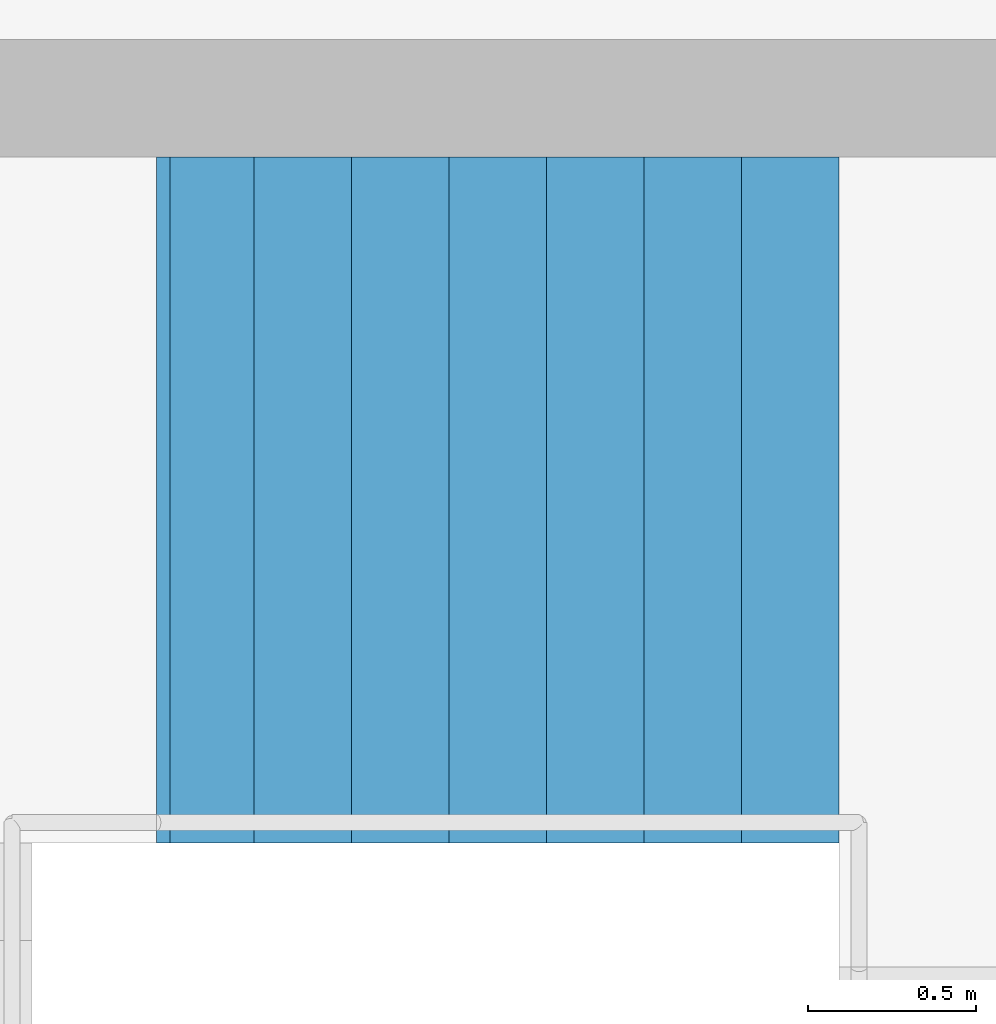
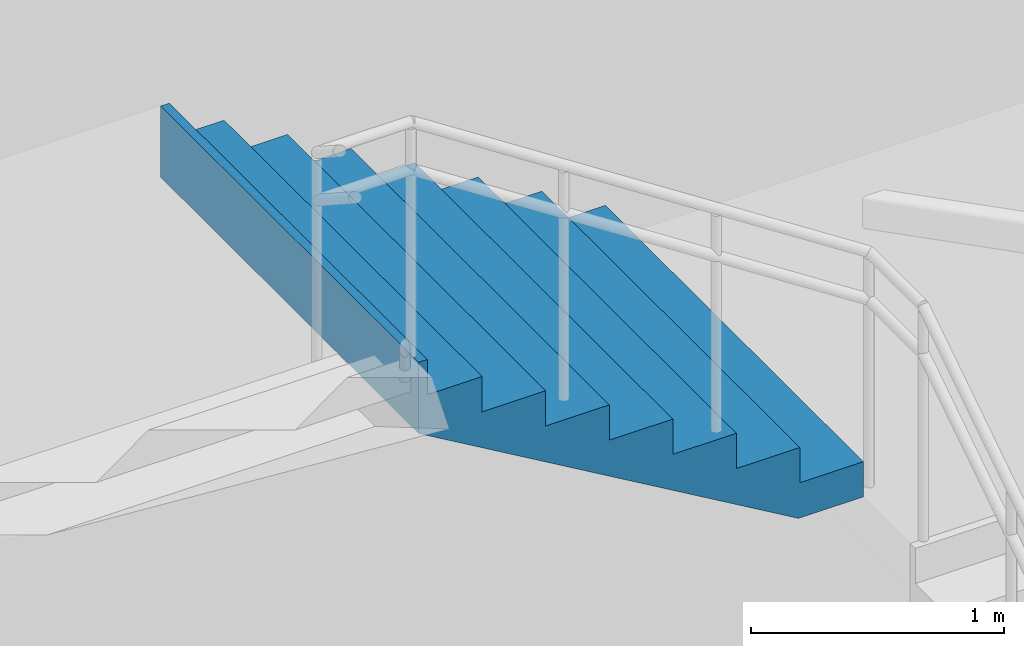
# One storey, part 33 of 50: 1 stair flight, 1 element without a shape of its own.
"""IFC4 building model written with IfcOpenShell, lengths in metres."""

from ifc_helpers import new_model, si_unit, direction, frame, origin, place, context, subcontext, project, spatial, triangles, material, type_object, element, aggregate, save


model = new_model("IFC4")

# Units and contexts
model_context = context("Model", 3, precision=1e-05, world=origin(), true_north=direction((0.0, 1.0)))
body_context = subcontext(model_context, "Body", "Model", "MODEL_VIEW")
ifc_project = project(units=[si_unit("LENGTHUNIT", "METRE"), si_unit("AREAUNIT", "SQUARE_METRE"), si_unit("VOLUMEUNIT", "CUBIC_METRE"), si_unit("PLANEANGLEUNIT", "RADIAN"), si_unit("MASSUNIT", "GRAM", prefix="KILO")], contexts=[model_context])

# Site, building, storey
site_placement = place(None, origin())
site = spatial("IfcSite", under=ifc_project, at=site_placement, CompositionType="ELEMENT")
building_placement = place(site_placement, origin())
building = spatial("IfcBuilding", under=site, at=building_placement, Name="Sillaruma Civic Art Gallery", CompositionType="ELEMENT")
storey_placement = place(building_placement, origin())
storey = spatial("IfcBuildingStorey", under=building, at=storey_placement, Name="L00", CompositionType="ELEMENT", Elevation=0.0)

# Stair, stair flight
ifc_material = material(Name="Concrete H35 (35 MPa)", Category="concrete")
stair_type = type_object("IfcStairType", Name="STR-4F-32", PredefinedType="USERDEFINED", material=ifc_material)
stair_placement = place(storey_placement, origin())
stair = element("IfcStair", 1, at=stair_placement, inside=storey, type_object=stair_type, Name="Protected Exit Stair ST-04 (East Bar) (L00)", ObjectType="THREE_RETURN_STAIR", PredefinedType="USERDEFINED")
stair_flight_type = type_object("IfcStairFlightType", Name="SFL-STR-8", PredefinedType="STRAIGHT", material=ifc_material)
stair_flight_placement = place(storey_placement, frame((103.300048828125, 56.669921875, 2.719970703125), z_axis=(0.0, 0.0, 1.0), x_axis=(-1.0, 0.0, 0.0)))
stair_flight = element("IfcStairFlight", 2, at=stair_flight_placement, type_object=stair_flight_type, Name="ST-04 flight 3", NumberOfRisers=8, NumberOfTreads=7, PredefinedType="STRAIGHT", RiserHeight=0.17, TreadLength=0.29, context=body_context, shape_type="Tessellation", body=[
    triangles([(0.0, -1.02001953125, 0.0), (0.29, -1.02001953125, 0.0), (0.296443, -1.02001953125, 0.0), (0.58, -1.02001953125, 0.166223), (0.87, -1.02001953125, 0.336223), (1.16, -1.02001953125, 0.506223), (1.45, -1.02001953125, 0.676223), (1.74, -1.02001953125, 0.846223), (1.990029, -1.02001953125, 0.992792), (2.030029, -1.02001953125, 1.01624), (2.030029, -1.02001953125, 1.36), (1.990029, -1.02001953125, 1.36), (1.990029, -1.02001953125, 1.19), (1.74, -1.02001953125, 1.19), (1.74, -1.02001953125, 1.02), (1.45, -1.02001953125, 1.02), (1.45, -1.02001953125, 0.85), (1.16, -1.02001953125, 0.85), (1.16, -1.02001953125, 0.68), (0.87, -1.02001953125, 0.68), (0.87, -1.02001953125, 0.51), (0.58, -1.02001953125, 0.51), (0.58, -1.02001953125, 0.34), (0.296443, -1.02001953125, 0.34), (0.29, -1.02001953125, 0.34), (0.29, -1.02001953125, 0.17), (0.0, -1.02001953125, 0.17), (0.0, -0.05, 0.0), (0.29, -0.05, 0.0), (0.296443, -0.05, 0.0), (0.58, -0.05, 0.166223), (0.87, -0.05, 0.336223), (1.16, -0.05, 0.506223), (1.45, -0.05, 0.676223), (1.74, -0.05, 0.846223), (1.990029, -0.05, 0.992792), (2.030029, -0.05, 1.01624), (2.030029, -0.05, 1.36), (1.990029, -0.05, 1.36), (1.990029, -0.05, 1.19), (1.74, -0.05, 1.19), (1.74, -0.05, 1.02), (1.45, -0.05, 1.02), (1.45, -0.05, 0.85), (1.16, -0.05, 0.85), (1.16, -0.05, 0.68), (0.87, -0.05, 0.68), (0.87, -0.05, 0.51), (0.58, -0.05, 0.51), (0.58, -0.05, 0.34), (0.296443, -0.05, 0.34), (0.29, -0.05, 0.34), (0.29, -0.05, 0.17), (0.0, -0.05, 0.17), (0.0, -0.0375, 0.0), (0.29, -0.0375, 0.0), (0.296443, -0.0375, 0.0), (0.58, -0.0375, 0.166223), (0.87, -0.0375, 0.336223), (1.16, -0.0375, 0.506223), (1.45, -0.0375, 0.676223), (1.74, -0.0375, 0.846223), (1.990029, -0.0375, 0.992792), (2.030029, -0.0375, 1.01624), (2.030029, -0.0375, 1.36), (1.990029, -0.0375, 1.36), (1.990029, -0.0375, 1.19), (1.74, -0.0375, 1.19), (1.74, -0.0375, 1.02), (1.45, -0.0375, 1.02), (1.45, -0.0375, 0.85), (1.16, -0.0375, 0.85), (1.16, -0.0375, 0.68), (0.87, -0.0375, 0.68), (0.87, -0.0375, 0.51), (0.58, -0.0375, 0.51), (0.58, -0.0375, 0.34), (0.296443, -0.0375, 0.34), (0.29, -0.0375, 0.34), (0.29, -0.0375, 0.17), (0.0, -0.0375, 0.17), (0.0, -0.025, 0.0), (0.29, -0.025, 0.0), (0.296443, -0.025, 0.0), (0.58, -0.025, 0.166223), (0.87, -0.025, 0.336223), (1.16, -0.025, 0.506223), (1.45, -0.025, 0.676223), (1.74, -0.025, 0.846223), (1.990029, -0.025, 0.992792), (2.030029, -0.025, 1.01624), (2.030029, -0.025, 1.36), (1.990029, -0.025, 1.36), (1.990029, -0.025, 1.19), (1.74, -0.025, 1.19), (1.74, -0.025, 1.02), (1.45, -0.025, 1.02), (1.45, -0.025, 0.85), (1.16, -0.025, 0.85), (1.16, -0.025, 0.68), (0.87, -0.025, 0.68), (0.87, -0.025, 0.51), (0.58, -0.025, 0.51), (0.58, -0.025, 0.34), (0.296443, -0.025, 0.34), (0.29, -0.025, 0.34), (0.29, -0.025, 0.17), (0.0, -0.025, 0.17), (0.0, -0.0125, 0.0), (0.29, -0.0125, 0.0), (0.296443, -0.0125, 0.0), (0.58, -0.0125, 0.166223), (0.87, -0.0125, 0.336223), (1.16, -0.0125, 0.506223), (1.45, -0.0125, 0.676223), (1.74, -0.0125, 0.846223), (1.990029, -0.0125, 0.992792), (2.030029, -0.0125, 1.01624), (2.030029, -0.0125, 1.36), (1.990029, -0.0125, 1.36), (1.990029, -0.0125, 1.19), (1.74, -0.0125, 1.19), (1.74, -0.0125, 1.02), (1.45, -0.0125, 1.02), (1.45, -0.0125, 0.85), (1.16, -0.0125, 0.85), (1.16, -0.0125, 0.68), (0.87, -0.0125, 0.68), (0.87, -0.0125, 0.51), (0.58, -0.0125, 0.51), (0.58, -0.0125, 0.34), (0.296443, -0.0125, 0.34), (0.29, -0.0125, 0.34), (0.29, -0.0125, 0.17), (0.0, -0.0125, 0.17), (0.0, 0.0, 0.0), (0.29, 0.0, 0.0), (0.296443, 0.0, 0.0), (0.58, 0.0, 0.166223), (0.87, 0.0, 0.336223), (1.16, 0.0, 0.506223), (1.45, 0.0, 0.676223), (1.74, 0.0, 0.846223), (1.990029, 0.0, 0.992792), (2.030029, 0.0, 1.01624), (2.030029, 0.0, 1.36), (1.990029, 0.0, 1.36), (1.990029, 0.0, 1.19), (1.74, 0.0, 1.19), (1.74, 0.0, 1.02), (1.45, 0.0, 1.02), (1.45, 0.0, 0.85), (1.16, 0.0, 0.85), (1.16, 0.0, 0.68), (0.87, 0.0, 0.68), (0.87, 0.0, 0.51), (0.58, 0.0, 0.51), (0.58, 0.0, 0.34), (0.296443, 0.0, 0.34), (0.29, 0.0, 0.34), (0.29, 0.0, 0.17), (0.0, 0.0, 0.17), (0.0, 0.0125, 0.0), (0.29, 0.0125, 0.0), (0.296443, 0.0125, 0.0), (0.58, 0.0125, 0.166223), (0.87, 0.0125, 0.336223), (1.16, 0.0125, 0.506223), (1.45, 0.0125, 0.676223), (1.74, 0.0125, 0.846223), (1.990029, 0.0125, 0.992792), (2.030029, 0.0125, 1.01624), (2.030029, 0.0125, 1.36), (1.990029, 0.0125, 1.36), (1.990029, 0.0125, 1.19), (1.74, 0.0125, 1.19), (1.74, 0.0125, 1.02), (1.45, 0.0125, 1.02), (1.45, 0.0125, 0.85), (1.16, 0.0125, 0.85), (1.16, 0.0125, 0.68), (0.87, 0.0125, 0.68), (0.87, 0.0125, 0.51), (0.58, 0.0125, 0.51), (0.58, 0.0125, 0.34), (0.296443, 0.0125, 0.34), (0.29, 0.0125, 0.34), (0.29, 0.0125, 0.17), (0.0, 0.0125, 0.17), (0.0, 0.025, 0.0), (0.29, 0.025, 0.0), (0.296443, 0.025, 0.0), (0.58, 0.025, 0.166223), (0.87, 0.025, 0.336223), (1.16, 0.025, 0.506223), (1.45, 0.025, 0.676223), (1.74, 0.025, 0.846223), (1.990029, 0.025, 0.992792), (2.030029, 0.025, 1.01624), (2.030029, 0.025, 1.36), (1.990029, 0.025, 1.36), (1.990029, 0.025, 1.19), (1.74, 0.025, 1.19), (1.74, 0.025, 1.02), (1.45, 0.025, 1.02), (1.45, 0.025, 0.85), (1.16, 0.025, 0.85), (1.16, 0.025, 0.68), (0.87, 0.025, 0.68), (0.87, 0.025, 0.51), (0.58, 0.025, 0.51), (0.58, 0.025, 0.34), (0.296443, 0.025, 0.34), (0.29, 0.025, 0.34), (0.29, 0.025, 0.17), (0.0, 0.025, 0.17), (0.0, 0.0375, 0.0), (0.29, 0.0375, 0.0), (0.296443, 0.0375, 0.0), (0.58, 0.0375, 0.166223), (0.87, 0.0375, 0.336223), (1.16, 0.0375, 0.506223), (1.45, 0.0375, 0.676223), (1.74, 0.0375, 0.846223), (1.990029, 0.0375, 0.992792), (2.030029, 0.0375, 1.01624), (2.030029, 0.0375, 1.36), (1.990029, 0.0375, 1.36), (1.990029, 0.0375, 1.19), (1.74, 0.0375, 1.19), (1.74, 0.0375, 1.02), (1.45, 0.0375, 1.02), (1.45, 0.0375, 0.85), (1.16, 0.0375, 0.85), (1.16, 0.0375, 0.68), (0.87, 0.0375, 0.68), (0.87, 0.0375, 0.51), (0.58, 0.0375, 0.51), (0.58, 0.0375, 0.34), (0.296443, 0.0375, 0.34), (0.29, 0.0375, 0.34), (0.29, 0.0375, 0.17), (0.0, 0.0375, 0.17), (0.0, 0.05, 0.0), (0.29, 0.05, 0.0), (0.296443, 0.05, 0.0), (0.58, 0.05, 0.166223), (0.87, 0.05, 0.336223), (1.16, 0.05, 0.506223), (1.45, 0.05, 0.676223), (1.74, 0.05, 0.846223), (1.990029, 0.05, 0.992792), (2.030029, 0.05, 1.01624), (2.030029, 0.05, 1.36), (1.990029, 0.05, 1.36), (1.990029, 0.05, 1.19), (1.74, 0.05, 1.19), (1.74, 0.05, 1.02), (1.45, 0.05, 1.02), (1.45, 0.05, 0.85), (1.16, 0.05, 0.85), (1.16, 0.05, 0.68), (0.87, 0.05, 0.68), (0.87, 0.05, 0.51), (0.58, 0.05, 0.51), (0.58, 0.05, 0.34), (0.296443, 0.05, 0.34), (0.29, 0.05, 0.34), (0.29, 0.05, 0.17), (0.0, 0.05, 0.17), (0.0, 1.02001953125, 0.0), (0.29, 1.02001953125, 0.0), (0.296443, 1.02001953125, 0.0), (0.58, 1.02001953125, 0.166223), (0.87, 1.02001953125, 0.336223), (1.16, 1.02001953125, 0.506223), (1.45, 1.02001953125, 0.676223), (1.74, 1.02001953125, 0.846223), (1.990029, 1.02001953125, 0.992792), (2.030029, 1.02001953125, 1.01624), (2.030029, 1.02001953125, 1.36), (1.990029, 1.02001953125, 1.36), (1.990029, 1.02001953125, 1.19), (1.74, 1.02001953125, 1.19), (1.74, 1.02001953125, 1.02), (1.45, 1.02001953125, 1.02), (1.45, 1.02001953125, 0.85), (1.16, 1.02001953125, 0.85), (1.16, 1.02001953125, 0.68), (0.87, 1.02001953125, 0.68), (0.87, 1.02001953125, 0.51), (0.58, 1.02001953125, 0.51), (0.58, 1.02001953125, 0.34), (0.296443, 1.02001953125, 0.34), (0.29, 1.02001953125, 0.34), (0.29, 1.02001953125, 0.17), (0.0, 1.02001953125, 0.17)], [[1, 2, 26], [1, 26, 27], [2, 3, 24], [2, 24, 26], [26, 24, 25], [3, 4, 23], [3, 23, 24], [4, 5, 21], [4, 21, 23], [23, 21, 22], [5, 6, 19], [5, 19, 21], [21, 19, 20], [6, 7, 17], [6, 17, 19], [19, 17, 18], [7, 8, 15], [7, 15, 17], [17, 15, 16], [8, 9, 13], [8, 13, 15], [15, 13, 14], [9, 10, 11], [9, 11, 13], [13, 11, 12], [296, 272, 271], [297, 296, 271], [294, 273, 272], [296, 294, 272], [295, 294, 296], [293, 274, 273], [294, 293, 273], [291, 275, 274], [293, 291, 274], [292, 291, 293], [289, 276, 275], [291, 289, 275], [290, 289, 291], [287, 277, 276], [289, 287, 276], [288, 287, 289], [285, 278, 277], [287, 285, 277], [286, 285, 287], [283, 279, 278], [285, 283, 278], [284, 283, 285], [281, 280, 279], [283, 281, 279], [282, 281, 283], [2, 1, 28], [2, 28, 29], [3, 2, 29], [3, 29, 30], [4, 3, 30], [4, 30, 31], [5, 4, 31], [5, 31, 32], [6, 5, 32], [6, 32, 33], [7, 6, 33], [7, 33, 34], [8, 7, 34], [8, 34, 35], [9, 8, 35], [9, 35, 36], [10, 9, 36], [10, 36, 37], [11, 10, 37], [11, 37, 38], [12, 11, 38], [12, 38, 39], [13, 12, 39], [13, 39, 40], [14, 13, 40], [14, 40, 41], [15, 14, 41], [15, 41, 42], [16, 15, 42], [16, 42, 43], [17, 16, 43], [17, 43, 44], [18, 17, 44], [18, 44, 45], [19, 18, 45], [19, 45, 46], [20, 19, 46], [20, 46, 47], [21, 20, 47], [21, 47, 48], [22, 21, 48], [22, 48, 49], [23, 22, 49], [23, 49, 50], [24, 23, 50], [24, 50, 51], [25, 24, 51], [25, 51, 52], [26, 25, 52], [26, 52, 53], [27, 26, 53], [27, 53, 54], [1, 27, 54], [1, 54, 28], [29, 28, 55], [29, 55, 56], [30, 29, 56], [30, 56, 57], [31, 30, 57], [31, 57, 58], [32, 31, 58], [32, 58, 59], [33, 32, 59], [33, 59, 60], [34, 33, 60], [34, 60, 61], [35, 34, 61], [35, 61, 62], [36, 35, 62], [36, 62, 63], [37, 36, 63], [37, 63, 64], [38, 37, 64], [38, 64, 65], [39, 38, 65], [39, 65, 66], [40, 39, 66], [40, 66, 67], [41, 40, 67], [41, 67, 68], [42, 41, 68], [42, 68, 69], [43, 42, 69], [43, 69, 70], [44, 43, 70], [44, 70, 71], [45, 44, 71], [45, 71, 72], [46, 45, 72], [46, 72, 73], [47, 46, 73], [47, 73, 74], [48, 47, 74], [48, 74, 75], [49, 48, 75], [49, 75, 76], [50, 49, 76], [50, 76, 77], [51, 50, 77], [51, 77, 78], [52, 51, 78], [52, 78, 79], [53, 52, 79], [53, 79, 80], [54, 53, 80], [54, 80, 81], [28, 54, 81], [28, 81, 55], [56, 55, 82], [56, 82, 83], [57, 56, 83], [57, 83, 84], [58, 57, 84], [58, 84, 85], [59, 58, 85], [59, 85, 86], [60, 59, 86], [60, 86, 87], [61, 60, 87], [61, 87, 88], [62, 61, 88], [62, 88, 89], [63, 62, 89], [63, 89, 90], [64, 63, 90], [64, 90, 91], [65, 64, 91], [65, 91, 92], [66, 65, 92], [66, 92, 93], [67, 66, 93], [67, 93, 94], [68, 67, 94], [68, 94, 95], [69, 68, 95], [69, 95, 96], [70, 69, 96], [70, 96, 97], [71, 70, 97], [71, 97, 98], [72, 71, 98], [72, 98, 99], [73, 72, 99], [73, 99, 100], [74, 73, 100], [74, 100, 101], [75, 74, 101], [75, 101, 102], [76, 75, 102], [76, 102, 103], [77, 76, 103], [77, 103, 104], [78, 77, 104], [78, 104, 105], [79, 78, 105], [79, 105, 106], [80, 79, 106], [80, 106, 107], [81, 80, 107], [81, 107, 108], [55, 81, 108], [55, 108, 82], [83, 82, 109], [83, 109, 110], [84, 83, 110], [84, 110, 111], [85, 84, 111], [85, 111, 112], [86, 85, 112], [86, 112, 113], [87, 86, 113], [87, 113, 114], [88, 87, 114], [88, 114, 115], [89, 88, 115], [89, 115, 116], [90, 89, 116], [90, 116, 117], [91, 90, 117], [91, 117, 118], [92, 91, 118], [92, 118, 119], [93, 92, 119], [93, 119, 120], [94, 93, 120], [94, 120, 121], [95, 94, 121], [95, 121, 122], [96, 95, 122], [96, 122, 123], [97, 96, 123], [97, 123, 124], [98, 97, 124], [98, 124, 125], [99, 98, 125], [99, 125, 126], [100, 99, 126], [100, 126, 127], [101, 100, 127], [101, 127, 128], [102, 101, 128], [102, 128, 129], [103, 102, 129], [103, 129, 130], [104, 103, 130], [104, 130, 131], [105, 104, 131], [105, 131, 132], [106, 105, 132], [106, 132, 133], [107, 106, 133], [107, 133, 134], [108, 107, 134], [108, 134, 135], [82, 108, 135], [82, 135, 109], [110, 109, 136], [110, 136, 137], [111, 110, 137], [111, 137, 138], [112, 111, 138], [112, 138, 139], [113, 112, 139], [113, 139, 140], [114, 113, 140], [114, 140, 141], [115, 114, 141], [115, 141, 142], [116, 115, 142], [116, 142, 143], [117, 116, 143], [117, 143, 144], [118, 117, 144], [118, 144, 145], [119, 118, 145], [119, 145, 146], [120, 119, 146], [120, 146, 147], [121, 120, 147], [121, 147, 148], [122, 121, 148], [122, 148, 149], [123, 122, 149], [123, 149, 150], [124, 123, 150], [124, 150, 151], [125, 124, 151], [125, 151, 152], [126, 125, 152], [126, 152, 153], [127, 126, 153], [127, 153, 154], [128, 127, 154], [128, 154, 155], [129, 128, 155], [129, 155, 156], [130, 129, 156], [130, 156, 157], [131, 130, 157], [131, 157, 158], [132, 131, 158], [132, 158, 159], [133, 132, 159], [133, 159, 160], [134, 133, 160], [134, 160, 161], [135, 134, 161], [135, 161, 162], [109, 135, 162], [109, 162, 136], [137, 136, 163], [137, 163, 164], [138, 137, 164], [138, 164, 165], [139, 138, 165], [139, 165, 166], [140, 139, 166], [140, 166, 167], [141, 140, 167], [141, 167, 168], [142, 141, 168], [142, 168, 169], [143, 142, 169], [143, 169, 170], [144, 143, 170], [144, 170, 171], [145, 144, 171], [145, 171, 172], [146, 145, 172], [146, 172, 173], [147, 146, 173], [147, 173, 174], [148, 147, 174], [148, 174, 175], [149, 148, 175], [149, 175, 176], [150, 149, 176], [150, 176, 177], [151, 150, 177], [151, 177, 178], [152, 151, 178], [152, 178, 179], [153, 152, 179], [153, 179, 180], [154, 153, 180], [154, 180, 181], [155, 154, 181], [155, 181, 182], [156, 155, 182], [156, 182, 183], [157, 156, 183], [157, 183, 184], [158, 157, 184], [158, 184, 185], [159, 158, 185], [159, 185, 186], [160, 159, 186], [160, 186, 187], [161, 160, 187], [161, 187, 188], [162, 161, 188], [162, 188, 189], [136, 162, 189], [136, 189, 163], [164, 163, 190], [164, 190, 191], [165, 164, 191], [165, 191, 192], [166, 165, 192], [166, 192, 193], [167, 166, 193], [167, 193, 194], [168, 167, 194], [168, 194, 195], [169, 168, 195], [169, 195, 196], [170, 169, 196], [170, 196, 197], [171, 170, 197], [171, 197, 198], [172, 171, 198], [172, 198, 199], [173, 172, 199], [173, 199, 200], [174, 173, 200], [174, 200, 201], [175, 174, 201], [175, 201, 202], [176, 175, 202], [176, 202, 203], [177, 176, 203], [177, 203, 204], [178, 177, 204], [178, 204, 205], [179, 178, 205], [179, 205, 206], [180, 179, 206], [180, 206, 207], [181, 180, 207], [181, 207, 208], [182, 181, 208], [182, 208, 209], [183, 182, 209], [183, 209, 210], [184, 183, 210], [184, 210, 211], [185, 184, 211], [185, 211, 212], [186, 185, 212], [186, 212, 213], [187, 186, 213], [187, 213, 214], [188, 187, 214], [188, 214, 215], [189, 188, 215], [189, 215, 216], [163, 189, 216], [163, 216, 190], [191, 190, 217], [191, 217, 218], [192, 191, 218], [192, 218, 219], [193, 192, 219], [193, 219, 220], [194, 193, 220], [194, 220, 221], [195, 194, 221], [195, 221, 222], [196, 195, 222], [196, 222, 223], [197, 196, 223], [197, 223, 224], [198, 197, 224], [198, 224, 225], [199, 198, 225], [199, 225, 226], [200, 199, 226], [200, 226, 227], [201, 200, 227], [201, 227, 228], [202, 201, 228], [202, 228, 229], [203, 202, 229], [203, 229, 230], [204, 203, 230], [204, 230, 231], [205, 204, 231], [205, 231, 232], [206, 205, 232], [206, 232, 233], [207, 206, 233], [207, 233, 234], [208, 207, 234], [208, 234, 235], [209, 208, 235], [209, 235, 236], [210, 209, 236], [210, 236, 237], [211, 210, 237], [211, 237, 238], [212, 211, 238], [212, 238, 239], [213, 212, 239], [213, 239, 240], [214, 213, 240], [214, 240, 241], [215, 214, 241], [215, 241, 242], [216, 215, 242], [216, 242, 243], [190, 216, 243], [190, 243, 217], [218, 217, 244], [218, 244, 245], [219, 218, 245], [219, 245, 246], [220, 219, 246], [220, 246, 247], [221, 220, 247], [221, 247, 248], [222, 221, 248], [222, 248, 249], [223, 222, 249], [223, 249, 250], [224, 223, 250], [224, 250, 251], [225, 224, 251], [225, 251, 252], [226, 225, 252], [226, 252, 253], [227, 226, 253], [227, 253, 254], [228, 227, 254], [228, 254, 255], [229, 228, 255], [229, 255, 256], [230, 229, 256], [230, 256, 257], [231, 230, 257], [231, 257, 258], [232, 231, 258], [232, 258, 259], [233, 232, 259], [233, 259, 260], [234, 233, 260], [234, 260, 261], [235, 234, 261], [235, 261, 262], [236, 235, 262], [236, 262, 263], [237, 236, 263], [237, 263, 264], [238, 237, 264], [238, 264, 265], [239, 238, 265], [239, 265, 266], [240, 239, 266], [240, 266, 267], [241, 240, 267], [241, 267, 268], [242, 241, 268], [242, 268, 269], [243, 242, 269], [243, 269, 270], [217, 243, 270], [217, 270, 244], [245, 244, 271], [245, 271, 272], [246, 245, 272], [246, 272, 273], [247, 246, 273], [247, 273, 274], [248, 247, 274], [248, 274, 275], [249, 248, 275], [249, 275, 276], [250, 249, 276], [250, 276, 277], [251, 250, 277], [251, 277, 278], [252, 251, 278], [252, 278, 279], [253, 252, 279], [253, 279, 280], [254, 253, 280], [254, 280, 281], [255, 254, 281], [255, 281, 282], [256, 255, 282], [256, 282, 283], [257, 256, 283], [257, 283, 284], [258, 257, 284], [258, 284, 285], [259, 258, 285], [259, 285, 286], [260, 259, 286], [260, 286, 287], [261, 260, 287], [261, 287, 288], [262, 261, 288], [262, 288, 289], [263, 262, 289], [263, 289, 290], [264, 263, 290], [264, 290, 291], [265, 264, 291], [265, 291, 292], [266, 265, 292], [266, 292, 293], [267, 266, 293], [267, 293, 294], [268, 267, 294], [268, 294, 295], [269, 268, 295], [269, 295, 296], [270, 269, 296], [270, 296, 297], [244, 270, 297], [244, 297, 271]], closed=True),
])
aggregate(stair, [stair_flight])

save(model, "model.ifc")
